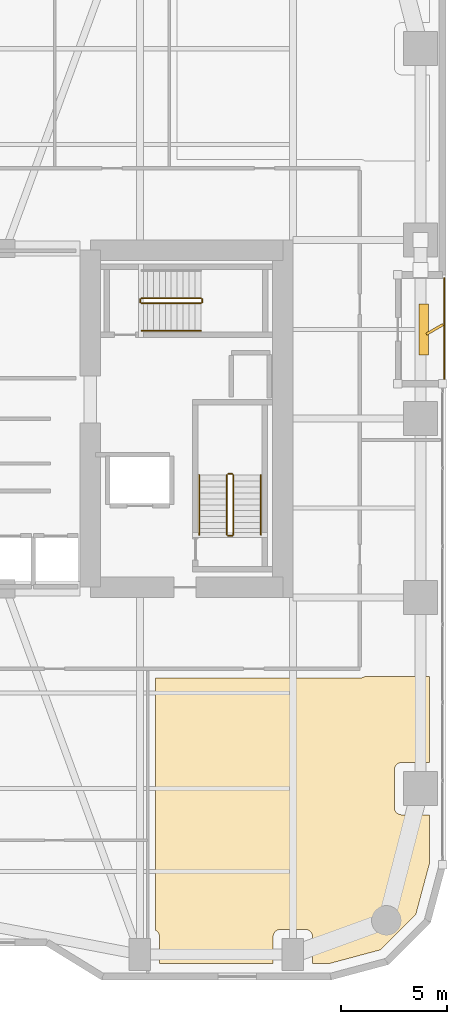
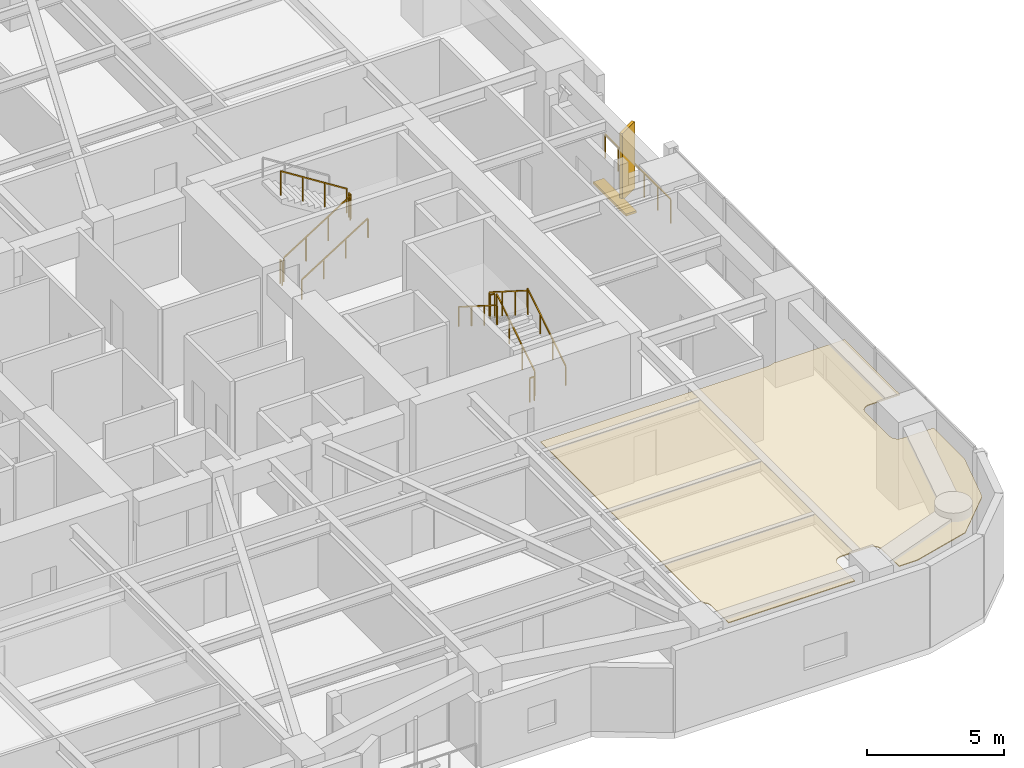
# One storey, part 23 of 24: 12 railings, 2 shading devices, 1 covering.
"""IFC4 building model written with IfcOpenShell, lengths in metres."""

from ifc_helpers import new_model, si_unit, direction, frame, origin, origin_2d, place, context, subcontext, project, spatial, polyline, rectangle, outline, extrude, material, layer, layer_set, type_object, element, save


model = new_model("IFC4")

# Units and contexts
model_context = context("Model", 3, precision=1e-05, world=origin(), true_north=direction((0.0, 1.0)))
body_context = subcontext(model_context, "Body", "Model", "MODEL_VIEW")
ifc_project = project(units=[si_unit("LENGTHUNIT", "METRE"), si_unit("AREAUNIT", "SQUARE_METRE"), si_unit("VOLUMEUNIT", "CUBIC_METRE"), si_unit("PLANEANGLEUNIT", "RADIAN"), si_unit("MASSUNIT", "GRAM", prefix="KILO")], contexts=[model_context])

# Site, building, storey
site_placement = place(None, origin())
site = spatial("IfcSite", under=ifc_project, at=site_placement, CompositionType="ELEMENT")
building_placement = place(site_placement, origin())
building = spatial("IfcBuilding", under=site, at=building_placement, Name="Kiyonajd Concourse Tower", CompositionType="ELEMENT")
storey_placement = place(building_placement, frame((0.0, 0.0, 89.699951171875)))
storey = spatial("IfcBuildingStorey", under=building, at=storey_placement, Name="L23", CompositionType="ELEMENT", Elevation=89.699951171875)

# Covering
ifc_material_1 = material(Name="Natural Oak Acoustic Timber Veneer", Category="wood")
ifc_layer = layer(ifc_material_1, 0.0400390625)
ifc_layer_set = layer_set([ifc_layer], Name="Natural Oak Acoustic Timber Veneer")
covering_type = type_object("IfcCoveringType", Name="CV-CLG-ACST", PredefinedType="CEILING", material=ifc_layer_set)
covering_placement = place(storey_placement, frame((0.0, 0.0, 3.4599609375)))
element("IfcCovering", 1, at=covering_placement, inside=storey, type_object=covering_type, Name="L23-45 Room Acoustic Ceiling", PredefinedType="CEILING", context=body_context, shape_type="SweptSolid", body=[
    extrude(outline(polyline([(57.139892578125, 11.94091796875), (57.139892578125, 23.800048828125), (66.75, 23.800048828125), (66.8798828125, 23.820068359375), (66.943115234375, 23.845947265625), (66.998046875, 23.8798828125), (70.030029296875, 23.8798828125), (70.030029296875, 19.830078125), (68.719970703125, 19.830078125), (68.652099609375, 19.822998046875), (68.5859375, 19.802978515625), (68.52587890625, 19.77099609375), (68.448974609375, 19.701904296875), (68.410888671875, 19.64501953125), (68.385009765625, 19.58203125), (68.3701171875, 19.47998046875), (68.3701171875, 17.719970703125), (68.385009765625, 17.617919921875), (68.410888671875, 17.554931640625), (68.448974609375, 17.498046875), (68.498046875, 17.448974609375), (68.554931640625, 17.410888671875), (68.617919921875, 17.385009765625), (68.68603515625, 17.3720703125), (70.030029296875, 17.3701171875), (70.030029296875, 15.10107421875), (69.385986328125, 12.697998046875), (67.701904296875, 11.013916015625), (65.299072265625, 10.3701171875), (64.530029296875, 10.3701171875), (64.528076171875, 11.6640625), (64.514892578125, 11.73193359375), (64.489013671875, 11.794921875), (64.427001953125, 11.876953125), (64.344970703125, 11.93896484375), (64.281982421875, 11.965087890625), (64.214111328125, 11.97802734375), (62.986083984375, 11.97802734375), (62.885986328125, 11.952880859375), (62.798095703125, 11.90087890625), (62.7490234375, 11.85205078125), (62.7109375, 11.794921875), (62.677001953125, 11.697998046875), (62.669921875, 11.6298828125), (62.669921875, 10.3701171875), (57.330078125, 10.3701171875), (57.327880859375, 11.6640625), (57.302978515625, 11.763916015625), (57.27099609375, 11.823974609375), (57.201904296875, 11.90087890625), (57.139892578125, 11.94091796875)])), origin(), (0.0, 0.0, 1.0), 0.0400390625),
])

# Railings
ifc_material_2 = material(Name="Thermally Broken Anodised Aluminium", Category="aluminium")
railing_type_1 = type_object("IfcRailingType", Name="RL-GRD-LOG", PredefinedType="GUARDRAIL", material=ifc_material_2)
railing_1_placement = place(storey_placement, frame((70.719970703125, 37.800048828125, 0.0)))
element("IfcRailing", 2, at=railing_1_placement, inside=storey, type_object=railing_type_1, Name="L23 Engawa Loggia Perimeter Guard LOG-E", PredefinedType="GUARDRAIL", context=body_context, shape_type="SweptSolid", body=[
    extrude(rectangle(XDim=0.048095703125, YDim=0.048095703125, at=origin_2d()), frame((0.0, 0.0, 1.076171875), z_axis=(0.0, 1.0, 0.0), x_axis=(-1.0, 0.0, 0.0)), (0.0, 0.0, 1.0), 4.800048828125),
    extrude(rectangle(XDim=0.0419921875, YDim=0.0419921875, at=origin_2d()), origin(), (0.0, 0.0, 1.0), 1.052001953125),
    extrude(rectangle(XDim=0.0419921875, YDim=0.0419921875, at=origin_2d()), frame((0.0, 0.9599609375, 0.0)), (0.0, 0.0, 1.0), 1.052001953125),
    extrude(rectangle(XDim=0.0419921875, YDim=0.0419921875, at=origin_2d()), frame((0.0, 1.919921875, 0.0)), (0.0, 0.0, 1.0), 1.052001953125),
    extrude(rectangle(XDim=0.0419921875, YDim=0.0419921875, at=origin_2d()), frame((0.0, 2.880126953125, 0.0)), (0.0, 0.0, 1.0), 1.052001953125),
    extrude(rectangle(XDim=0.0419921875, YDim=0.0419921875, at=origin_2d()), frame((0.0, 3.840087890625, 0.0)), (0.0, 0.0, 1.0), 1.052001953125),
    extrude(rectangle(XDim=0.0419921875, YDim=0.0419921875, at=origin_2d()), frame((0.0, 4.800048828125, 0.0)), (0.0, 0.0, 1.0), 1.052001953125),
])
ifc_material_3 = material(Name="Steel ASTM A500 Grade C", Category="steel")
railing_type_2 = type_object("IfcRailingType", Name="RL-GRD-STR", PredefinedType="GUARDRAIL", material=ifc_material_3)
railing_2_placement = place(storey_placement, frame((60.800048828125, 30.550048828125, 0.17724609375)))
element("IfcRailing", 3, at=railing_2_placement, inside=storey, type_object=railing_type_2, Name="L23 ST2 stair guard 1", PredefinedType="GUARDRAIL", context=body_context, shape_type="SweptSolid", body=[
    extrude(rectangle(XDim=0.048095703125, YDim=0.048095703125, at=origin_2d()), frame((0.0, 0.0, 1.076171875), z_axis=(0.0, 0.844908973607, 0.534910110503), x_axis=(-1.0, 0.0, 0.0)), (0.0, 0.0, 1.0), 3.31396484375),
    extrude(rectangle(XDim=0.0419921875, YDim=0.0419921875, at=origin_2d()), origin(), (0.0, 0.0, 1.0), 1.052001953125),
    extrude(rectangle(XDim=0.0419921875, YDim=0.0419921875, at=origin_2d()), frame((0.0, 0.933349609375, 0.5908203125)), (0.0, 0.0, 1.0), 1.052001953125),
    extrude(rectangle(XDim=0.0419921875, YDim=0.0419921875, at=origin_2d()), frame((0.0, 1.86669921875, 1.181884765625)), (0.0, 0.0, 1.0), 1.052001953125),
    extrude(rectangle(XDim=0.0419921875, YDim=0.0419921875, at=origin_2d()), frame((0.0, 2.800048828125, 1.772705078125)), (0.0, 0.0, 1.0), 1.052001953125),
])
railing_3_placement = place(storey_placement, frame((60.75, 33.39990234375, 1.949951171875)))
element("IfcRailing", 4, at=railing_3_placement, inside=storey, type_object=railing_type_2, Name="L23 ST2 stair guard 2", PredefinedType="GUARDRAIL", context=body_context, shape_type="SweptSolid", body=[
    extrude(rectangle(XDim=0.048095703125, YDim=0.048095703125, at=origin_2d()), frame((0.0, 0.0, 1.076171875), z_axis=(-1.0, 0.0, 0.0), x_axis=(0.0, -1.0, 0.0)), (0.0, 0.0, 1.0), 0.199951171875),
    extrude(rectangle(XDim=0.0419921875, YDim=0.0419921875, at=origin_2d()), origin(), (0.0, 0.0, 1.0), 1.052001953125),
    extrude(rectangle(XDim=0.0419921875, YDim=0.0419921875, at=origin_2d()), frame((-0.199951171875, 0.0, 0.0)), (0.0, 0.0, 1.0), 1.052001953125),
])
railing_4_placement = place(storey_placement, frame((60.5, 33.35009765625, 2.12744140625)))
element("IfcRailing", 5, at=railing_4_placement, inside=storey, type_object=railing_type_2, Name="L23 ST2 stair guard 3", PredefinedType="GUARDRAIL", context=body_context, shape_type="SweptSolid", body=[
    extrude(rectangle(XDim=0.048095703125, YDim=0.048095703125, at=origin_2d()), frame((0.0, 0.0, 1.076171875), z_axis=(0.0, -0.844908973607, 0.534910110503), x_axis=(1.0, 0.0, 0.0)), (0.0, 0.0, 1.0), 3.31396484375),
    extrude(rectangle(XDim=0.0419921875, YDim=0.0419921875, at=origin_2d()), origin(), (0.0, 0.0, 1.0), 1.052001953125),
    extrude(rectangle(XDim=0.0419921875, YDim=0.0419921875, at=origin_2d()), frame((0.0, -0.933349609375, 0.5908203125)), (0.0, 0.0, 1.0), 1.052001953125),
    extrude(rectangle(XDim=0.0419921875, YDim=0.0419921875, at=origin_2d()), frame((0.0, -1.86669921875, 1.181884765625)), (0.0, 0.0, 1.0), 1.052001953125),
    extrude(rectangle(XDim=0.0419921875, YDim=0.0419921875, at=origin_2d()), frame((0.0, -2.800048828125, 1.772705078125)), (0.0, 0.0, 1.0), 1.052001953125),
])
railing_5_placement = place(storey_placement, frame((60.75, 30.5, 0.0)))
element("IfcRailing", 6, at=railing_5_placement, inside=storey, type_object=railing_type_2, Name="L23 ST2 stair guard 4", PredefinedType="GUARDRAIL", context=body_context, shape_type="SweptSolid", body=[
    extrude(rectangle(XDim=0.048095703125, YDim=0.048095703125, at=origin_2d()), frame((0.0, 0.0, 1.076171875), z_axis=(-1.0, 0.0, 0.0), x_axis=(0.0, -1.0, 0.0)), (0.0, 0.0, 1.0), 0.199951171875),
    extrude(rectangle(XDim=0.0419921875, YDim=0.0419921875, at=origin_2d()), origin(), (0.0, 0.0, 1.0), 1.052001953125),
    extrude(rectangle(XDim=0.0419921875, YDim=0.0419921875, at=origin_2d()), frame((-0.199951171875, 0.0, 0.0)), (0.0, 0.0, 1.0), 1.052001953125),
])
railing_6_placement = place(storey_placement, frame((56.47998046875, 41.429931640625, 0.17724609375)))
element("IfcRailing", 7, at=railing_6_placement, inside=storey, type_object=railing_type_2, Name="L23 ST3 stair guard 1", PredefinedType="GUARDRAIL", context=body_context, shape_type="SweptSolid", body=[
    extrude(rectangle(XDim=0.048095703125, YDim=0.048095703125, at=origin_2d()), frame((0.0, 0.0, 1.076171875), z_axis=(0.844908973607, 0.0, 0.534910110503), x_axis=(0.0, 1.0, 0.0)), (0.0, 0.0, 1.0), 3.31396484375),
    extrude(rectangle(XDim=0.0419921875, YDim=0.0419921875, at=origin_2d()), origin(), (0.0, 0.0, 1.0), 1.052001953125),
    extrude(rectangle(XDim=0.0419921875, YDim=0.0419921875, at=origin_2d()), frame((0.933349609375, 0.0, 0.5908203125)), (0.0, 0.0, 1.0), 1.052001953125),
    extrude(rectangle(XDim=0.0419921875, YDim=0.0419921875, at=origin_2d()), frame((1.86669921875, 0.0, 1.181884765625)), (0.0, 0.0, 1.0), 1.052001953125),
    extrude(rectangle(XDim=0.0419921875, YDim=0.0419921875, at=origin_2d()), frame((2.800048828125, 0.0, 1.772705078125)), (0.0, 0.0, 1.0), 1.052001953125),
])
railing_7_placement = place(storey_placement, frame((59.330078125, 41.47998046875, 1.949951171875)))
element("IfcRailing", 8, at=railing_7_placement, inside=storey, type_object=railing_type_2, Name="L23 ST3 stair guard 2", PredefinedType="GUARDRAIL", context=body_context, shape_type="SweptSolid", body=[
    extrude(rectangle(XDim=0.048095703125, YDim=0.048095703125, at=origin_2d()), frame((0.0, 0.0, 1.076171875), z_axis=(0.0, 1.0, 0.0), x_axis=(-1.0, 0.0, 0.0)), (0.0, 0.0, 1.0), 0.14013671875),
    extrude(rectangle(XDim=0.0419921875, YDim=0.0419921875, at=origin_2d()), origin(), (0.0, 0.0, 1.0), 1.052001953125),
    extrude(rectangle(XDim=0.0419921875, YDim=0.0419921875, at=origin_2d()), frame((0.0, 0.14013671875, 0.0)), (0.0, 0.0, 1.0), 1.052001953125),
])
railing_8_placement = place(storey_placement, frame((59.280029296875, 41.669921875, 2.12744140625)))
element("IfcRailing", 9, at=railing_8_placement, inside=storey, type_object=railing_type_2, Name="L23 ST3 stair guard 3", PredefinedType="GUARDRAIL", context=body_context, shape_type="SweptSolid", body=[
    extrude(rectangle(XDim=0.048095703125, YDim=0.048095703125, at=origin_2d()), frame((0.0, 0.0, 1.076171875), z_axis=(-0.844908973607, 0.0, 0.534910110503), x_axis=(0.0, -1.0, 0.0)), (0.0, 0.0, 1.0), 3.31396484375),
    extrude(rectangle(XDim=0.0419921875, YDim=0.0419921875, at=origin_2d()), origin(), (0.0, 0.0, 1.0), 1.052001953125),
    extrude(rectangle(XDim=0.0419921875, YDim=0.0419921875, at=origin_2d()), frame((-0.933349609375, 0.0, 0.5908203125)), (0.0, 0.0, 1.0), 1.052001953125),
    extrude(rectangle(XDim=0.0419921875, YDim=0.0419921875, at=origin_2d()), frame((-1.86669921875, 0.0, 1.181884765625)), (0.0, 0.0, 1.0), 1.052001953125),
    extrude(rectangle(XDim=0.0419921875, YDim=0.0419921875, at=origin_2d()), frame((-2.800048828125, 0.0, 1.772705078125)), (0.0, 0.0, 1.0), 1.052001953125),
])
railing_9_placement = place(storey_placement, frame((56.429931640625, 41.47998046875, 0.0)))
element("IfcRailing", 10, at=railing_9_placement, inside=storey, type_object=railing_type_2, Name="L23 ST3 stair guard 4", PredefinedType="GUARDRAIL", context=body_context, shape_type="SweptSolid", body=[
    extrude(rectangle(XDim=0.048095703125, YDim=0.048095703125, at=origin_2d()), frame((0.0, 0.0, 1.076171875), z_axis=(0.0, 1.0, 0.0), x_axis=(-1.0, 0.0, 0.0)), (0.0, 0.0, 1.0), 0.14013671875),
    extrude(rectangle(XDim=0.0419921875, YDim=0.0419921875, at=origin_2d()), origin(), (0.0, 0.0, 1.0), 1.052001953125),
    extrude(rectangle(XDim=0.0419921875, YDim=0.0419921875, at=origin_2d()), frame((0.0, 0.14013671875, 0.0)), (0.0, 0.0, 1.0), 1.052001953125),
])
ifc_material_4 = material(Name="Brushed Stainless Steel Cab Assembly", Category="steel")
railing_type_3 = type_object("IfcRailingType", Name="RL-HND-900", PredefinedType="HANDRAIL", material=ifc_material_4)
railing_10_placement = place(storey_placement, frame((62.10009765625, 30.550048828125, 0.17724609375)))
element("IfcRailing", 11, at=railing_10_placement, inside=storey, type_object=railing_type_3, Name="L23 ST2 stair handrail 1", PredefinedType="HANDRAIL", context=body_context, shape_type="SweptSolid", body=[
    extrude(rectangle(XDim=0.048095703125, YDim=0.048095703125, at=origin_2d()), frame((0.0, 0.0, 0.8759765625), z_axis=(0.0, 0.844908973607, 0.534910110503), x_axis=(-1.0, 0.0, 0.0)), (0.0, 0.0, 1.0), 3.31396484375),
    extrude(rectangle(XDim=0.0419921875, YDim=0.0419921875, at=origin_2d()), origin(), (0.0, 0.0, 1.0), 0.851806640625),
    extrude(rectangle(XDim=0.0419921875, YDim=0.0419921875, at=origin_2d()), frame((0.0, 0.933349609375, 0.5908203125)), (0.0, 0.0, 1.0), 0.851806640625),
    extrude(rectangle(XDim=0.0419921875, YDim=0.0419921875, at=origin_2d()), frame((0.0, 1.86669921875, 1.181884765625)), (0.0, 0.0, 1.0), 0.851806640625),
    extrude(rectangle(XDim=0.0419921875, YDim=0.0419921875, at=origin_2d()), frame((0.0, 2.800048828125, 1.772705078125)), (0.0, 0.0, 1.0), 0.851806640625),
])
railing_11_placement = place(storey_placement, frame((59.199951171875, 33.35009765625, 2.12744140625)))
element("IfcRailing", 12, at=railing_11_placement, inside=storey, type_object=railing_type_3, Name="L23 ST2 stair handrail 2", PredefinedType="HANDRAIL", context=body_context, shape_type="SweptSolid", body=[
    extrude(rectangle(XDim=0.048095703125, YDim=0.048095703125, at=origin_2d()), frame((0.0, 0.0, 0.8759765625), z_axis=(0.0, -0.844908973607, 0.534910110503), x_axis=(1.0, 0.0, 0.0)), (0.0, 0.0, 1.0), 3.31396484375),
    extrude(rectangle(XDim=0.0419921875, YDim=0.0419921875, at=origin_2d()), origin(), (0.0, 0.0, 1.0), 0.851806640625),
    extrude(rectangle(XDim=0.0419921875, YDim=0.0419921875, at=origin_2d()), frame((0.0, -0.933349609375, 0.5908203125)), (0.0, 0.0, 1.0), 0.851806640625),
    extrude(rectangle(XDim=0.0419921875, YDim=0.0419921875, at=origin_2d()), frame((0.0, -1.86669921875, 1.181884765625)), (0.0, 0.0, 1.0), 0.851806640625),
    extrude(rectangle(XDim=0.0419921875, YDim=0.0419921875, at=origin_2d()), frame((0.0, -2.800048828125, 1.772705078125)), (0.0, 0.0, 1.0), 0.851806640625),
])
railing_12_placement = place(storey_placement, frame((56.47998046875, 40.1298828125, 0.17724609375)))
element("IfcRailing", 13, at=railing_12_placement, inside=storey, type_object=railing_type_3, Name="L23 ST3 stair handrail 1", PredefinedType="HANDRAIL", context=body_context, shape_type="SweptSolid", body=[
    extrude(rectangle(XDim=0.048095703125, YDim=0.048095703125, at=origin_2d()), frame((0.0, 0.0, 0.8759765625), z_axis=(0.844908973607, 0.0, 0.534910110503), x_axis=(0.0, 1.0, 0.0)), (0.0, 0.0, 1.0), 3.31396484375),
    extrude(rectangle(XDim=0.0419921875, YDim=0.0419921875, at=origin_2d()), origin(), (0.0, 0.0, 1.0), 0.851806640625),
    extrude(rectangle(XDim=0.0419921875, YDim=0.0419921875, at=origin_2d()), frame((0.933349609375, 0.0, 0.5908203125)), (0.0, 0.0, 1.0), 0.851806640625),
    extrude(rectangle(XDim=0.0419921875, YDim=0.0419921875, at=origin_2d()), frame((1.86669921875, 0.0, 1.181884765625)), (0.0, 0.0, 1.0), 0.851806640625),
    extrude(rectangle(XDim=0.0419921875, YDim=0.0419921875, at=origin_2d()), frame((2.800048828125, 0.0, 1.772705078125)), (0.0, 0.0, 1.0), 0.851806640625),
])

# Shading devices
ifc_material_5 = material(Name="Precast concrete C50/60", Category="concrete")
shading_device_type_1 = type_object("IfcShadingDeviceType", Name="SH-FIN-900", PredefinedType="USERDEFINED", material=ifc_material_5)
shading_device_1_placement = place(storey_placement, frame((70.27001953125, 40.199951171875, 0.0), z_axis=(0.0, 0.0, 1.0), x_axis=(0.866025403784, 0.5, 0.0)))
element("IfcShadingDevice", 14, at=shading_device_1_placement, inside=storey, type_object=shading_device_type_1, Name="L23 Angled Koshi Solar Fin LOG-E", ObjectType="FIN", PredefinedType="USERDEFINED", context=body_context, shape_type="SweptSolid", body=[
    extrude(rectangle(XDim=0.89990234375, YDim=0.1201171875, at=origin_2d()), origin(), (0.0, 0.0, 1.0), 3.0),
])
shading_device_type_2 = type_object("IfcShadingDeviceType", Name="SH-LVR-600", PredefinedType="JALOUSIE", material=ifc_material_2)
shading_device_2_placement = place(storey_placement, frame((69.75, 40.199951171875, 0.0), z_axis=(0.0, 0.0, 1.0), x_axis=(0.0, 1.0, 0.0)))
element("IfcShadingDevice", 15, at=shading_device_2_placement, inside=storey, type_object=shading_device_type_2, Name="L23 Loggia Threshold Louver LOG-E", PredefinedType="JALOUSIE", context=body_context, shape_type="SweptSolid", body=[
    extrude(rectangle(XDim=2.39990234375, YDim=0.449951171875, at=origin_2d()), origin(), (0.0, 0.0, 1.0), 0.10009765625),
])

save(model, "model.ifc")
